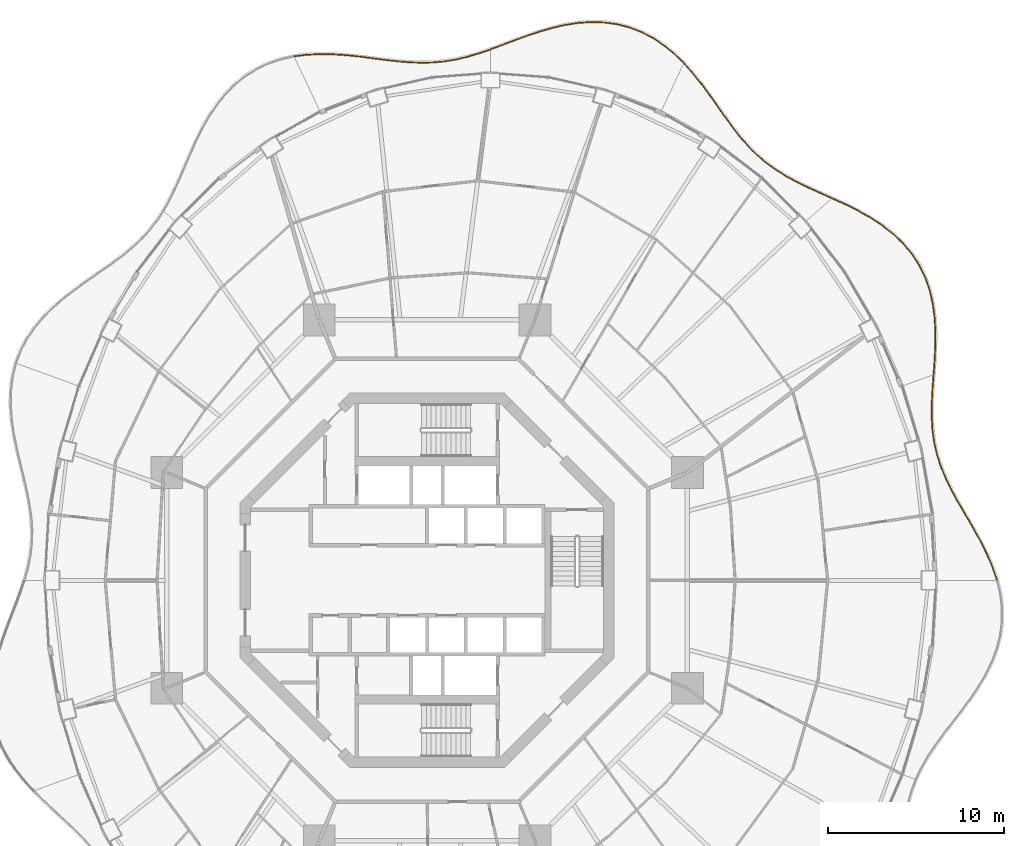
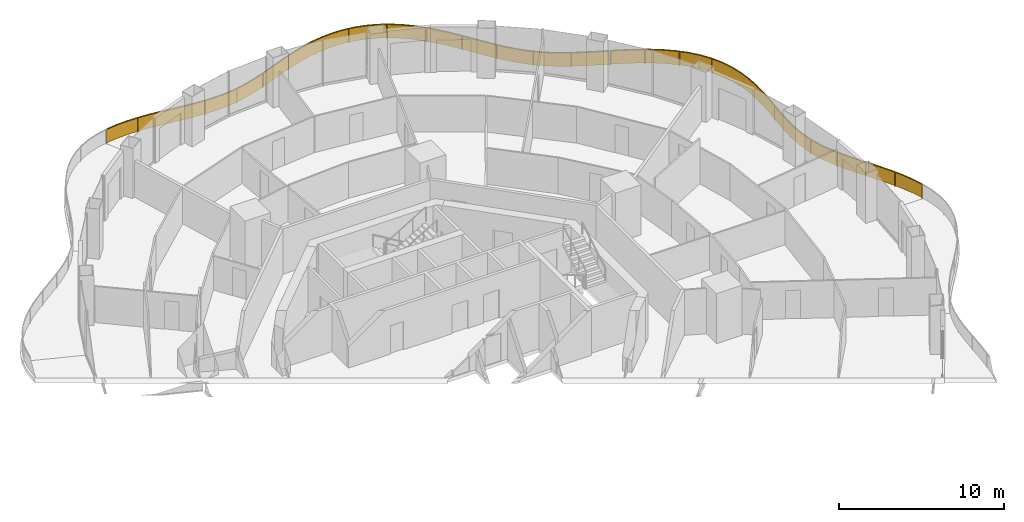
# One storey, part 19 of 19: 5 railings.
"""IFC4 building model written with IfcOpenShell, lengths in metres."""

from ifc_helpers import new_model, si_unit, direction, frame, origin, origin_2d, place, context, subcontext, project, spatial, polyline, rectangle, outline, extrude, material, type_object, element, save


model = new_model("IFC4")

# Units and contexts
model_context = context("Model", 3, precision=1e-05, world=origin(), true_north=direction((0.0, 1.0)))
body_context = subcontext(model_context, "Body", "Model", "MODEL_VIEW")
ifc_project = project(units=[si_unit("LENGTHUNIT", "METRE"), si_unit("AREAUNIT", "SQUARE_METRE"), si_unit("VOLUMEUNIT", "CUBIC_METRE"), si_unit("PLANEANGLEUNIT", "RADIAN"), si_unit("MASSUNIT", "GRAM", prefix="KILO")], contexts=[model_context])

# Site, building, storey
site_placement = place(None, origin())
site = spatial("IfcSite", under=ifc_project, at=site_placement, CompositionType="ELEMENT")
building_placement = place(site_placement, origin())
building = spatial("IfcBuilding", under=site, at=building_placement, Name="Nagisa Residences", CompositionType="ELEMENT")
storey_placement = place(building_placement, frame((0.0, 0.0, 202.89990234375)))
storey = spatial("IfcBuildingStorey", under=building, at=storey_placement, Name="L51", CompositionType="ELEMENT", Elevation=202.89990234375)

# Railings
ifc_material = material(Name="Stainless steel 316", Category="steel")
railing_type = type_object("IfcRailingType", Name="BALCONY GUARD 1100", PredefinedType="BALUSTRADE", material=ifc_material)
railing_1_placement = place(storey_placement, frame((32.34130859375, 0.03662109375, 0.0)))
element("IfcRailing", 1, at=railing_1_placement, inside=storey, type_object=railing_type, Name="guard:L51:bal00-0", PredefinedType="BALUSTRADE", context=body_context, shape_type="SweptSolid", body=[
    extrude(outline(polyline([(-0.273193359375, 0.7216796875), (-0.023681640625, -0.008056640625), (0.023681640625, 0.008056640625), (-0.226318359375, 0.73974609375), (-0.554443359375, 1.501953125), (-0.9306640625, 2.248291015625), (-1.3359375, 2.977783203125), (-1.750732421875, 3.69091796875), (-2.154541015625, 4.37646484375), (-2.533203125, 5.0654296875), (-2.8701171875, 5.74951171875), (-3.15380859375, 6.434326171875), (-3.376708984375, 7.12548828125), (-3.53271484375, 7.8154296875), (-3.629638671875, 8.536376953125), (-3.669677734375, 9.278076171875), (-3.663330078125, 10.043212890625), (-3.623291015625, 10.83154296875), (-3.56689453125, 11.595947265625), (-3.61669921875, 11.599853515625), (-3.673095703125, 10.83447265625), (-3.713134765625, 10.044677734375), (-3.719970703125, 9.277099609375), (-3.679443359375, 8.531494140625), (-3.58203125, 7.806640625), (-3.425048828125, 7.1123046875), (-3.20068359375, 6.417236328125), (-2.91552734375, 5.72900390625), (-2.57763671875, 5.04248046875), (-2.197998046875, 4.3515625), (-1.793701171875, 3.66552734375), (-1.37939453125, 2.952880859375), (-0.97509765625, 2.224853515625), (-0.599853515625, 1.48095703125), (-0.273193359375, 0.7216796875)])), frame((0.0, 0.0, 1.050048828125)), (0.0, 0.0, 1.0), 0.050048828125),
    extrude(outline(polyline([(-0.25634765625, 0.728271484375), (-0.006591796875, -0.002197265625), (0.006591796875, 0.002197265625), (-0.2431640625, 0.733154296875), (-0.57080078125, 1.494384765625), (-0.94677734375, 2.23974609375), (-1.3515625, 2.96875), (-1.76611328125, 3.681640625), (-2.170166015625, 4.367431640625), (-2.54931640625, 5.05712890625), (-2.886474609375, 5.7421875), (-3.170654296875, 6.42822265625), (-3.39404296875, 7.120849609375), (-3.550537109375, 7.812255859375), (-3.6474609375, 8.53466796875), (-3.687744140625, 9.27783203125), (-3.68115234375, 10.043701171875), (-3.64111328125, 10.83251953125), (-3.584716796875, 11.597412109375), (-3.598876953125, 11.598388671875), (-3.6552734375, 10.83349609375), (-3.6953125, 10.044189453125), (-3.701904296875, 9.27734375), (-3.66162109375, 8.533203125), (-3.564208984375, 7.809814453125), (-3.40771484375, 7.116943359375), (-3.183837890625, 6.42333984375), (-2.899169921875, 5.736328125), (-2.5615234375, 5.05078125), (-2.182373046875, 4.360595703125), (-1.7783203125, 3.6748046875), (-1.36376953125, 2.9619140625), (-0.958984375, 2.2333984375), (-0.58349609375, 1.488525390625), (-0.25634765625, 0.728271484375)])), frame((0.0, 0.0, 0.06005859375)), (0.0, 0.0, 1.0), 0.989990234375),
    extrude(rectangle(XDim=0.0400390625, YDim=0.0400390625, at=origin_2d()), origin(), (0.0, 0.0, 1.0), 1.050048828125),
    extrude(rectangle(XDim=0.0400390625, YDim=0.0400390625, at=origin_2d()), frame((-0.78857421875, 1.91064453125, 0.0)), (0.0, 0.0, 1.0), 1.050048828125),
    extrude(rectangle(XDim=0.0400390625, YDim=0.0400390625, at=origin_2d()), frame((-1.7958984375, 3.71826171875, 0.0)), (0.0, 0.0, 1.0), 1.050048828125),
    extrude(rectangle(XDim=0.0400390625, YDim=0.0400390625, at=origin_2d()), frame((-2.790771484375, 5.5322265625, 0.0)), (0.0, 0.0, 1.0), 1.050048828125),
    extrude(rectangle(XDim=0.0400390625, YDim=0.0400390625, at=origin_2d()), frame((-3.48193359375, 7.477294921875, 0.0)), (0.0, 0.0, 1.0), 1.050048828125),
    extrude(rectangle(XDim=0.0400390625, YDim=0.0400390625, at=origin_2d()), frame((-3.692626953125, 9.53125, 0.0)), (0.0, 0.0, 1.0), 1.050048828125),
    extrude(rectangle(XDim=0.0400390625, YDim=0.0400390625, at=origin_2d()), frame((-3.591796875, 11.597900390625, 0.0)), (0.0, 0.0, 1.0), 1.050048828125),
])
railing_2_placement = place(storey_placement, frame((28.756591796875, 11.710205078125, 0.0)))
element("IfcRailing", 2, at=railing_2_placement, inside=storey, type_object=railing_type, Name="guard:L51:bal01-0", PredefinedType="BALUSTRADE", context=body_context, shape_type="SweptSolid", body=[
    extrude(outline(polyline([(0.030029296875, 0.7568359375), (-0.02490234375, 0.001708984375), (0.02490234375, -0.001708984375), (0.079833984375, 0.75390625), (0.118896484375, 1.564453125), (0.125, 2.3779296875), (0.082275390625, 3.18603515625), (-0.022216796875, 3.980224609375), (-0.19189453125, 4.737548828125), (-0.44775390625, 5.475830078125), (-0.786376953125, 6.173583984375), (-1.207275390625, 6.8251953125), (-1.70654296875, 7.425537109375), (-2.26904296875, 7.961181640625), (-2.899169921875, 8.454833984375), (-3.578369140625, 8.900146484375), (-4.291015625, 9.302001953125), (-5.023193359375, 9.668212890625), (-5.719970703125, 9.98779296875), (-5.740966796875, 9.9423828125), (-5.044677734375, 9.623291015625), (-4.314453125, 9.257568359375), (-3.604248046875, 8.857177734375), (-2.928466796875, 8.414306640625), (-2.3017578125, 7.923095703125), (-1.7431640625, 7.391357421875), (-1.247802734375, 6.79541015625), (-0.829833984375, 6.149169921875), (-0.494140625, 5.456787109375), (-0.240234375, 4.723876953125), (-0.071533203125, 3.971435546875), (0.032470703125, 3.181640625), (0.07470703125, 2.376953125), (0.069091796875, 1.56591796875), (0.030029296875, 0.7568359375)])), frame((0.0, 0.0, 1.050048828125)), (0.0, 0.0, 1.0), 0.050048828125),
    extrude(outline(polyline([(0.0478515625, 0.755859375), (-0.007080078125, 0.00048828125), (0.007080078125, -0.00048828125), (0.06201171875, 0.7548828125), (0.10107421875, 1.56494140625), (0.10693359375, 2.377685546875), (0.064453125, 3.1845703125), (-0.0400390625, 3.97705078125), (-0.209228515625, 4.732666015625), (-0.46435546875, 5.468994140625), (-0.802001953125, 6.164794921875), (-1.221923828125, 6.814453125), (-1.7197265625, 7.413330078125), (-2.28076171875, 7.947509765625), (-2.90966796875, 8.440185546875), (-3.587646484375, 8.884765625), (-4.299560546875, 9.285888671875), (-5.031005859375, 9.652099609375), (-5.7275390625, 9.971435546875), (-5.7333984375, 9.958740234375), (-5.036865234375, 9.639404296875), (-4.305908203125, 9.273681640625), (-3.594970703125, 8.87255859375), (-2.91796875, 8.428955078125), (-2.2900390625, 7.936767578125), (-1.72998046875, 7.403564453125), (-1.233154296875, 6.80615234375), (-0.814208984375, 6.157958984375), (-0.4775390625, 5.463623046875), (-0.222900390625, 4.728759765625), (-0.0537109375, 3.974609375), (0.05029296875, 3.18310546875), (0.0927734375, 2.377197265625), (0.0869140625, 1.5654296875), (0.0478515625, 0.755859375)])), frame((0.0, 0.0, 0.06005859375)), (0.0, 0.0, 1.0), 0.989990234375),
    extrude(rectangle(XDim=0.0400390625, YDim=0.0400390625, at=origin_2d()), origin(), (0.0, 0.0, 1.0), 1.050048828125),
    extrude(rectangle(XDim=0.0400390625, YDim=0.0400390625, at=origin_2d()), frame((0.097900390625, 2.1044921875, 0.0)), (0.0, 0.0, 1.0), 1.050048828125),
    extrude(rectangle(XDim=0.0400390625, YDim=0.0400390625, at=origin_2d()), frame((-0.0966796875, 4.198486328125, 0.0)), (0.0, 0.0, 1.0), 1.050048828125),
    extrude(rectangle(XDim=0.0400390625, YDim=0.0400390625, at=origin_2d()), frame((-0.814208984375, 6.170654296875, 0.0)), (0.0, 0.0, 1.0), 1.050048828125),
    extrude(rectangle(XDim=0.0400390625, YDim=0.0400390625, at=origin_2d()), frame((-2.13623046875, 7.800048828125, 0.0)), (0.0, 0.0, 1.0), 1.050048828125),
    extrude(rectangle(XDim=0.0400390625, YDim=0.0400390625, at=origin_2d()), frame((-3.8466796875, 9.022705078125, 0.0)), (0.0, 0.0, 1.0), 1.050048828125),
    extrude(rectangle(XDim=0.0400390625, YDim=0.0400390625, at=origin_2d()), frame((-5.73046875, 9.965087890625, 0.0)), (0.0, 0.0, 1.0), 1.050048828125),
])
railing_3_placement = place(storey_placement, frame((22.956298828125, 21.705322265625, 0.0)))
element("IfcRailing", 3, at=railing_3_placement, inside=storey, type_object=railing_type, Name="guard:L51:bal02-0", PredefinedType="BALUSTRADE", context=body_context, shape_type="SweptSolid", body=[
    extrude(outline(polyline([(-0.6640625, 0.268310546875), (-0.01025390625, -0.02294921875), (0.01025390625, 0.02294921875), (-0.6435546875, 0.313720703125), (-1.319580078125, 0.623291015625), (-1.96923828125, 0.940673828125), (-2.5859375, 1.276123046875), (-3.167236328125, 1.638427734375), (-3.69970703125, 2.0244140625), (-4.20947265625, 2.4599609375), (-4.689208984375, 2.9375), (-5.144775390625, 3.45703125), (-5.584228515625, 4.01513671875), (-6.002685546875, 4.5966796875), (-6.436767578125, 5.21240234375), (-6.8828125, 5.84130859375), (-7.34912109375, 6.470947265625), (-7.843017578125, 7.087158203125), (-8.3369140625, 7.641845703125), (-8.37451171875, 7.608642578125), (-7.881103515625, 7.054931640625), (-7.388671875, 6.440185546875), (-6.92333984375, 5.81201171875), (-6.477783203125, 5.18359375), (-6.043212890625, 4.56787109375), (-5.624267578125, 3.98486328125), (-5.183349609375, 3.4248046875), (-4.725830078125, 2.9033203125), (-4.24365234375, 2.42333984375), (-3.73046875, 1.98486328125), (-3.195068359375, 1.596923828125), (-2.611328125, 1.232666015625), (-1.9921875, 0.896240234375), (-1.341064453125, 0.577880859375), (-0.6640625, 0.268310546875)])), frame((0.0, 0.0, 1.050048828125)), (0.0, 0.0, 1.0), 0.050048828125),
    extrude(outline(polyline([(-0.65673828125, 0.28466796875), (-0.0029296875, -0.00634765625), (0.0029296875, 0.00634765625), (-0.65087890625, 0.29736328125), (-1.327392578125, 0.60693359375), (-1.9775390625, 0.924560546875), (-2.59521484375, 1.260498046875), (-3.17724609375, 1.62353515625), (-3.710693359375, 2.01025390625), (-4.221923828125, 2.44677734375), (-4.702392578125, 2.92529296875), (-5.15869140625, 3.4453125), (-5.5986328125, 4.004150390625), (-6.017333984375, 4.58642578125), (-6.45166015625, 5.2021484375), (-6.8974609375, 5.830810546875), (-7.36328125, 6.4599609375), (-7.856689453125, 7.07568359375), (-8.3505859375, 7.6298828125), (-8.36083984375, 7.62060546875), (-7.867431640625, 7.06640625), (-7.37451171875, 6.451171875), (-6.90869140625, 5.822509765625), (-6.462890625, 5.19384765625), (-6.028564453125, 4.578125), (-5.60986328125, 3.995849609375), (-5.16943359375, 3.4365234375), (-4.712646484375, 2.91552734375), (-4.231201171875, 2.4365234375), (-3.719482421875, 1.9990234375), (-3.18505859375, 1.61181640625), (-2.60205078125, 1.248291015625), (-1.98388671875, 0.912353515625), (-1.333251953125, 0.59423828125), (-0.65673828125, 0.28466796875)])), frame((0.0, 0.0, 0.06005859375)), (0.0, 0.0, 1.0), 0.989990234375),
    extrude(rectangle(XDim=0.0400390625, YDim=0.0400390625, at=origin_2d()), origin(), (0.0, 0.0, 1.0), 1.050048828125),
    extrude(rectangle(XDim=0.0400390625, YDim=0.0400390625, at=origin_2d()), frame((-2.090576171875, 0.978271484375, 0.0)), (0.0, 0.0, 1.0), 1.050048828125),
    extrude(rectangle(XDim=0.0400390625, YDim=0.0400390625, at=origin_2d()), frame((-4.00732421875, 2.25439453125, 0.0)), (0.0, 0.0, 1.0), 1.050048828125),
    extrude(rectangle(XDim=0.0400390625, YDim=0.0400390625, at=origin_2d()), frame((-5.565673828125, 3.950927734375, 0.0)), (0.0, 0.0, 1.0), 1.050048828125),
    extrude(rectangle(XDim=0.0400390625, YDim=0.0400390625, at=origin_2d()), frame((-6.906005859375, 5.83056640625, 0.0)), (0.0, 0.0, 1.0), 1.050048828125),
    extrude(rectangle(XDim=0.0400390625, YDim=0.0400390625, at=origin_2d()), frame((-8.355712890625, 7.625244140625, 0.0)), (0.0, 0.0, 1.0), 1.050048828125),
])
railing_4_placement = place(storey_placement, frame((14.547607421875, 29.386962890625, 0.0)))
element("IfcRailing", 4, at=railing_4_placement, inside=storey, type_object=railing_type, Name="guard:L51:bal03-0", PredefinedType="BALUSTRADE", context=body_context, shape_type="SweptSolid", body=[
    extrude(outline(polyline([(-0.5244140625, 0.477294921875), (-0.017578125, -0.017822265625), (0.017578125, 0.017822265625), (-0.4912109375, 0.514404296875), (-1.07275390625, 0.990966796875), (-1.691162109375, 1.40576171875), (-2.344970703125, 1.749755859375), (-3.02978515625, 2.016845703125), (-3.724853515625, 2.1982421875), (-4.456787109375, 2.30322265625), (-5.202392578125, 2.329345703125), (-5.955078125, 2.281494140625), (-6.707763671875, 2.16845703125), (-7.4375, 1.996826171875), (-8.173828125, 1.78515625), (-8.896484375, 1.54345703125), (-9.602783203125, 1.28564453125), (-10.291748046875, 1.026123046875), (-10.922119140625, 0.791259765625), (-10.904541015625, 0.744384765625), (-10.274169921875, 0.979248046875), (-9.585205078125, 1.23876953125), (-8.8798828125, 1.49609375), (-8.1591796875, 1.7373046875), (-7.4248046875, 1.948486328125), (-6.698486328125, 2.119140625), (-5.94970703125, 2.231689453125), (-5.201904296875, 2.279052734375), (-4.461181640625, 2.25341796875), (-3.734619140625, 2.14892578125), (-3.04541015625, 1.968994140625), (-2.365966796875, 1.704345703125), (-1.717041015625, 1.36279296875), (-1.1025390625, 0.950927734375), (-0.5244140625, 0.477294921875)])), frame((0.0, 0.0, 1.050048828125)), (0.0, 0.0, 1.0), 0.050048828125),
    extrude(outline(polyline([(-0.512451171875, 0.49072265625), (-0.0048828125, -0.005126953125), (0.0048828125, 0.005126953125), (-0.503173828125, 0.5009765625), (-1.08349609375, 0.9765625), (-1.700439453125, 1.390380859375), (-2.3525390625, 1.7333984375), (-3.035400390625, 1.99951171875), (-3.728271484375, 2.180419921875), (-4.458251953125, 2.285400390625), (-5.2021484375, 2.311279296875), (-5.953125, 2.263671875), (-6.704345703125, 2.150634765625), (-7.432861328125, 1.9794921875), (-8.168701171875, 1.767822265625), (-8.890380859375, 1.5263671875), (-9.596435546875, 1.268798828125), (-10.285400390625, 1.00927734375), (-10.915771484375, 0.7744140625), (-10.910888671875, 0.76123046875), (-10.280517578125, 0.99609375), (-9.591552734375, 1.255615234375), (-8.885986328125, 1.51318359375), (-8.164306640625, 1.754638671875), (-7.429443359375, 1.9658203125), (-6.701904296875, 2.136962890625), (-5.95166015625, 2.24951171875), (-5.2021484375, 2.297119140625), (-4.459716796875, 2.271240234375), (-3.731201171875, 2.166748046875), (-3.039794921875, 1.986328125), (-2.3583984375, 1.720703125), (-1.707763671875, 1.378173828125), (-1.091796875, 0.96533203125), (-0.512451171875, 0.49072265625)])), frame((0.0, 0.0, 0.06005859375)), (0.0, 0.0, 1.0), 0.989990234375),
    extrude(rectangle(XDim=0.0400390625, YDim=0.0400390625, at=origin_2d()), origin(), (0.0, 0.0, 1.0), 1.050048828125),
    extrude(rectangle(XDim=0.0400390625, YDim=0.0400390625, at=origin_2d()), frame((-1.84619140625, 1.458984375, 0.0)), (0.0, 0.0, 1.0), 1.050048828125),
    extrude(rectangle(XDim=0.0400390625, YDim=0.0400390625, at=origin_2d()), frame((-4.0654296875, 2.221923828125, 0.0)), (0.0, 0.0, 1.0), 1.050048828125),
    extrude(rectangle(XDim=0.0400390625, YDim=0.0400390625, at=origin_2d()), frame((-6.41650390625, 2.186767578125, 0.0)), (0.0, 0.0, 1.0), 1.050048828125),
    extrude(rectangle(XDim=0.0400390625, YDim=0.0400390625, at=origin_2d()), frame((-8.69677734375, 1.583740234375, 0.0)), (0.0, 0.0, 1.0), 1.050048828125),
    extrude(rectangle(XDim=0.0400390625, YDim=0.0400390625, at=origin_2d()), frame((-10.913330078125, 0.767822265625, 0.0)), (0.0, 0.0, 1.0), 1.050048828125),
])
railing_5_placement = place(storey_placement, frame((3.5654296875, 30.1279296875, 0.0)))
element("IfcRailing", 5, at=railing_5_placement, inside=storey, type_object=railing_type, Name="guard:L51:bal04-0", PredefinedType="BALUSTRADE", context=body_context, shape_type="SweptSolid", body=[
    extrude(outline(polyline([(-0.609130859375, -0.236328125), (0.008056640625, -0.023681640625), (-0.008056640625, 0.023681640625), (-0.624267578125, -0.1884765625), (-1.273193359375, -0.381591796875), (-1.916748046875, -0.5341796875), (-2.559326171875, -0.642822265625), (-3.206298828125, -0.705322265625), (-3.844970703125, -0.720458984375), (-4.5146484375, -0.698486328125), (-5.20068359375, -0.64306640625), (-5.905029296875, -0.56396484375), (-6.62744140625, -0.47216796875), (-7.349853515625, -0.37548828125), (-8.1025390625, -0.297119140625), (-8.86376953125, -0.244873046875), (-9.627685546875, -0.231201171875), (-10.38671875, -0.267822265625), (-11.0859375, -0.35546875), (-11.07958984375, -0.4052734375), (-10.38232421875, -0.317626953125), (-9.626708984375, -0.281494140625), (-8.86572265625, -0.294677734375), (-8.10693359375, -0.346923828125), (-7.355712890625, -0.42529296875), (-6.6337890625, -0.52197265625), (-5.910888671875, -0.61376953125), (-5.20556640625, -0.69287109375), (-4.517578125, -0.748291015625), (-3.844970703125, -0.770751953125), (-3.203369140625, -0.755126953125), (-2.552978515625, -0.692626953125), (-1.906982421875, -0.58349609375), (-1.260498046875, -0.429931640625), (-0.609130859375, -0.236328125)])), frame((0.0, 0.0, 1.050048828125)), (0.0, 0.0, 1.0), 0.050048828125),
    extrude(outline(polyline([(-0.614501953125, -0.218994140625), (0.002197265625, -0.006591796875), (-0.002197265625, 0.006591796875), (-0.618896484375, -0.205810546875), (-1.2685546875, -0.39892578125), (-1.913330078125, -0.552001953125), (-2.55712890625, -0.660888671875), (-3.205322265625, -0.72314453125), (-3.844970703125, -0.738525390625), (-4.515625, -0.71630859375), (-5.202392578125, -0.660888671875), (-5.9072265625, -0.58203125), (-6.629638671875, -0.490234375), (-7.35205078125, -0.3935546875), (-8.104248046875, -0.31494140625), (-8.864501953125, -0.2626953125), (-9.627197265625, -0.249267578125), (-10.385009765625, -0.28564453125), (-11.083740234375, -0.37353515625), (-11.081787109375, -0.38720703125), (-10.384033203125, -0.2998046875), (-9.627197265625, -0.263427734375), (-8.864990234375, -0.27685546875), (-8.105224609375, -0.3291015625), (-7.353515625, -0.4072265625), (-6.631591796875, -0.50390625), (-5.90869140625, -0.595703125), (-5.203857421875, -0.675048828125), (-4.5166015625, -0.73046875), (-3.844970703125, -0.752685546875), (-3.204345703125, -0.7373046875), (-2.55517578125, -0.674560546875), (-1.910400390625, -0.565673828125), (-1.26513671875, -0.41259765625), (-0.614501953125, -0.218994140625)])), frame((0.0, 0.0, 0.06005859375)), (0.0, 0.0, 1.0), 0.989990234375),
    extrude(rectangle(XDim=0.0400390625, YDim=0.0400390625, at=origin_2d()), origin(), (0.0, 0.0, 1.0), 1.050048828125),
    extrude(rectangle(XDim=0.0400390625, YDim=0.0400390625, at=origin_2d()), frame((-2.156494140625, -0.60009765625, 0.0)), (0.0, 0.0, 1.0), 1.050048828125),
    extrude(rectangle(XDim=0.0400390625, YDim=0.0400390625, at=origin_2d()), frame((-4.38916015625, -0.7275390625, 0.0)), (0.0, 0.0, 1.0), 1.050048828125),
    extrude(rectangle(XDim=0.0400390625, YDim=0.0400390625, at=origin_2d()), frame((-6.618408203125, -0.49853515625, 0.0)), (0.0, 0.0, 1.0), 1.050048828125),
    extrude(rectangle(XDim=0.0400390625, YDim=0.0400390625, at=origin_2d()), frame((-8.84765625, -0.27099609375, 0.0)), (0.0, 0.0, 1.0), 1.050048828125),
    extrude(rectangle(XDim=0.0400390625, YDim=0.0400390625, at=origin_2d()), frame((-11.082763671875, -0.38037109375, 0.0)), (0.0, 0.0, 1.0), 1.050048828125),
])

save(model, "model.ifc")
